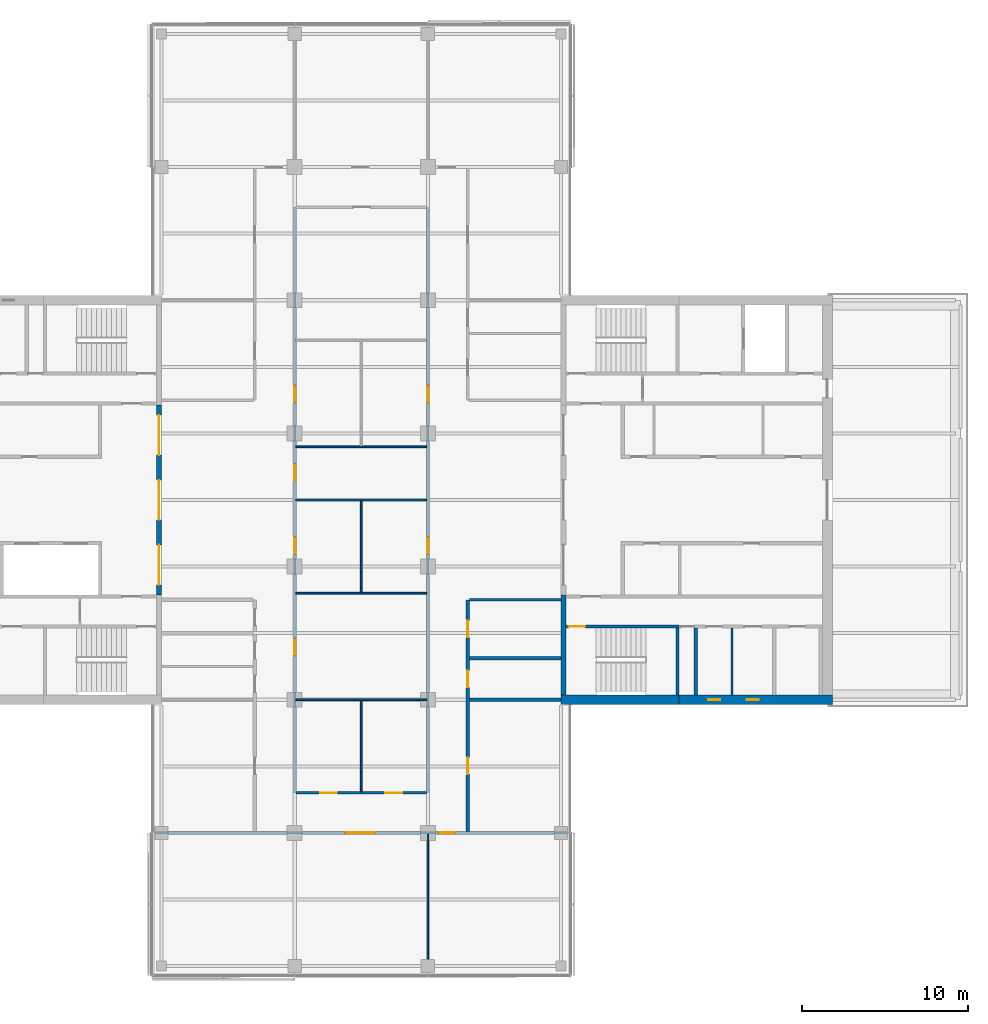
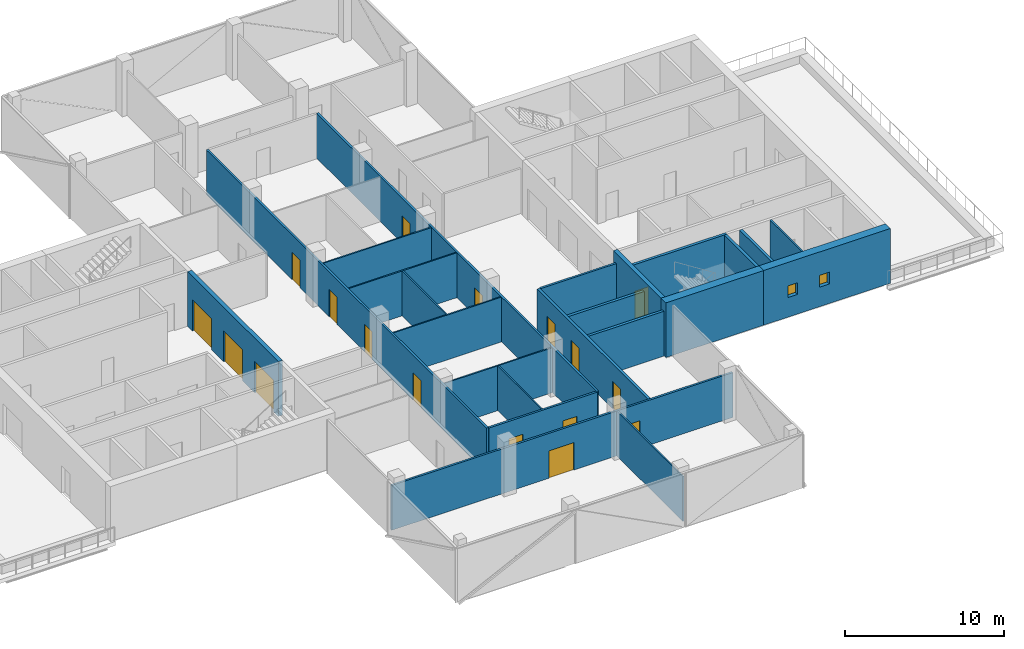
# One storey, part 12 of 18: 23 walls, 17 doors, 2 windows, 19 openings.
"""IFC4 building model written with IfcOpenShell, lengths in metres."""

from ifc_helpers import new_model, si_unit, direction, frame, frame_2d, origin, place, context, subcontext, project, spatial, rectangle, extrude, material, layer, layer_set, constituent, constituent_set, type_object, element, fill, save


model = new_model("IFC4")

# Units and contexts
model_context = context("Model", 3, precision=1e-05, world=origin(), true_north=direction((0.0, 1.0)))
body_context = subcontext(model_context, "Body", "Model", "MODEL_VIEW")
ifc_project = project(units=[si_unit("LENGTHUNIT", "METRE"), si_unit("AREAUNIT", "SQUARE_METRE"), si_unit("VOLUMEUNIT", "CUBIC_METRE"), si_unit("PLANEANGLEUNIT", "RADIAN"), si_unit("MASSUNIT", "GRAM", prefix="KILO")], contexts=[model_context])

# Site, building, storey
site_placement = place(None, origin())
site = spatial("IfcSite", under=ifc_project, at=site_placement, CompositionType="ELEMENT")
building_placement = place(site_placement, origin())
building = spatial("IfcBuilding", under=site, at=building_placement, Name="Crosswind Convention Tower", CompositionType="ELEMENT")
storey_placement = place(building_placement, frame((0.0, 0.0, 178.89990234375)))
storey = spatial("IfcBuildingStorey", under=building, at=storey_placement, Name="L37", CompositionType="ELEMENT", Elevation=178.89990234375)

# Wall
ifc_material_1 = material(Name="Concrete blockwork", Category="masonry")
ifc_layer_1 = layer(ifc_material_1, 0.199951171875)
ifc_layer_set_1 = layer_set([ifc_layer_1], Name="Blockwork partition wall 200")
wall_type_1 = type_object("IfcWallType", Name="Blockwork partition wall 200", PredefinedType="PARTITIONING", material=ifc_layer_set_1)
wall_1_placement = place(storey_placement, frame((145.10009765625, 88.300048828125, 0.0), z_axis=(0.0, 0.0, 1.0), x_axis=(0.0, 1.0, 0.0)))
element("IfcWall", 1, at=wall_1_placement, inside=storey, type_object=wall_type_1, Name="Wall MRSE E L37", PredefinedType="PARTITIONING", context=body_context, shape_type="SweptSolid", body=[
    extrude(rectangle(XDim=4.0, YDim=0.199951171875, at=frame_2d((2.0, 0.0))), origin(), (0.0, 0.0, 1.0), 4.2001953125),
])

# Wall, openings, doors
ifc_layer_2 = layer(ifc_material_1, 0.199951171875)
ifc_layer_set_2 = layer_set([ifc_layer_2], Name="COMPARTMENT WALL 200 BLOCKWORK")
wall_type_2 = type_object("IfcWallType", Name="COMPARTMENT WALL 200 BLOCKWORK", PredefinedType="SOLIDWALL", material=ifc_layer_set_2)
wall_2_placement = place(storey_placement, frame((131.39990234375, 80.074951171875, 0.0), z_axis=(0.0, 0.0, 1.0), x_axis=(0.0, 1.0, 0.0)))
wall_2 = element("IfcWall", 2, at=wall_2_placement, inside=storey, type_object=wall_type_2, Name="Compartment wall WT42", PredefinedType="SOLIDWALL", context=body_context, shape_type="SweptSolid", body=[
    extrude(rectangle(XDim=13.925048828125, YDim=0.199951171875, at=frame_2d((6.96240234375, 0.0))), origin(), (0.0, 0.0, 1.0), 3.43994140625),
])
opening_1_placement = place(wall_2_placement, frame((11.675048828125, 0.0, 0.0)))
opening_1 = element("IfcOpeningElement", 3, at=opening_1_placement, cuts=wall_2, Name="Opening L37-53", PredefinedType="OPENING", context=body_context, shape_type="SweptSolid", body=[
    extrude(rectangle(XDim=1.0, YDim=2.10009765625, at=frame_2d((0.5, 1.050048828125))), frame((0.0, 0.10986328125, 0.0), z_axis=(0.0, -1.0, 0.0), x_axis=(1.0, 0.0, 0.0)), (0.0, 0.0, 1.0), 0.219970703125),
])
opening_2_placement = place(wall_2_placement, frame((8.675048828125, 0.0, 0.0)))
opening_2 = element("IfcOpeningElement", 4, at=opening_2_placement, cuts=wall_2, Name="Opening L37-54", PredefinedType="OPENING", context=body_context, shape_type="SweptSolid", body=[
    extrude(rectangle(XDim=1.0, YDim=2.10009765625, at=frame_2d((0.5, 1.050048828125))), frame((0.0, 0.10986328125, 0.0), z_axis=(0.0, -1.0, 0.0), x_axis=(1.0, 0.0, 0.0)), (0.0, 0.0, 1.0), 0.219970703125),
])
opening_3_placement = place(wall_2_placement, frame((3.449951171875, 0.0, 0.0)))
opening_3 = element("IfcOpeningElement", 5, at=opening_3_placement, cuts=wall_2, Name="Opening L37-55", PredefinedType="OPENING", context=body_context, shape_type="SweptSolid", body=[
    extrude(rectangle(XDim=1.0, YDim=2.10009765625, at=frame_2d((0.5, 1.050048828125))), frame((0.0, 0.10986328125, 0.0), z_axis=(0.0, -1.0, 0.0), x_axis=(1.0, 0.0, 0.0)), (0.0, 0.0, 1.0), 0.219970703125),
])
ifc_material_2 = material(Name="Steel fire door", Category="steel")
door_type_1 = type_object("IfcDoorType", Name="PLANT ROOM DOOR 1000X2100 FD60", OperationType="NOTDEFINED", PredefinedType="DOOR", material=ifc_material_2)
door_1_placement = place(opening_2_placement, frame((1.0, 0.0, 0.0), z_axis=(0.0, 0.0, 1.0), x_axis=(-1.0, 0.0, 0.0)))
door_1 = element("IfcDoor", 6, at=door_1_placement, inside=storey, type_object=door_type_1, Name="Door L37-54", ObjectType="D43", OperationType="SINGLE_SWING_LEFT", OverallHeight=2.10009765625, OverallWidth=1.0, PredefinedType="DOOR", context=body_context, shape_type="SweptSolid", body=[
    extrude(rectangle(XDim=1.0, YDim=2.10009765625, at=frame_2d((0.5, 1.050048828125))), frame((0.0, 0.02490234375, 0.0), z_axis=(0.0, -1.0, 0.0), x_axis=(1.0, 0.0, 0.0)), (0.0, 0.0, 1.0), 0.050048828125),
])
fill(opening_2, door_1)
ifc_material_3 = material(Name="Timber fire door", Category="wood")
door_type_2 = type_object("IfcDoorType", Name="TENANCY ENTRANCE DOOR 1000X2100 FD30S", OperationType="NOTDEFINED", PredefinedType="DOOR", material=ifc_material_3)
door_2_placement = place(opening_1_placement, frame((1.0, 0.0, 0.0), z_axis=(0.0, 0.0, 1.0), x_axis=(-1.0, 0.0, 0.0)))
door_2 = element("IfcDoor", 7, at=door_2_placement, inside=storey, type_object=door_type_2, Name="Door L37-53", ObjectType="D41", OperationType="SINGLE_SWING_LEFT", OverallHeight=2.10009765625, OverallWidth=1.0, PredefinedType="DOOR", context=body_context, shape_type="SweptSolid", body=[
    extrude(rectangle(XDim=1.0, YDim=2.10009765625, at=frame_2d((0.5, 1.050048828125))), frame((0.0, 0.02490234375, 0.0), z_axis=(0.0, -1.0, 0.0), x_axis=(1.0, 0.0, 0.0)), (0.0, 0.0, 1.0), 0.050048828125),
])
fill(opening_1, door_2)
door_3_placement = place(opening_3_placement, frame((1.0, 0.0, 0.0), z_axis=(0.0, 0.0, 1.0), x_axis=(-1.0, 0.0, 0.0)))
door_3 = element("IfcDoor", 8, at=door_3_placement, inside=storey, type_object=door_type_2, Name="Door L37-55", ObjectType="D41", OperationType="SINGLE_SWING_LEFT", OverallHeight=2.10009765625, OverallWidth=1.0, PredefinedType="DOOR", context=body_context, shape_type="SweptSolid", body=[
    extrude(rectangle(XDim=1.0, YDim=2.10009765625, at=frame_2d((0.5, 1.050048828125))), frame((0.0, 0.02490234375, 0.0), z_axis=(0.0, -1.0, 0.0), x_axis=(1.0, 0.0, 0.0)), (0.0, 0.0, 1.0), 0.050048828125),
])
fill(opening_3, door_3)

# Walls
for number, where, z_axis, x_axis, name in (
    (9, (131.5, 88.0, 0.0), (0.0, 0.0, 1.0), (1.0, 0.0, 0.0), "Compartment wall WT42"),
    (10, (131.5, 90.5, 0.0), (0.0, 0.0, 1.0), (1.0, 0.0, 0.0), "Compartment wall WT42"),
):
    element("IfcWall", number, at=place(storey_placement, frame(where, z_axis=z_axis, x_axis=x_axis)), inside=storey, type_object=wall_type_2, Name=name, PredefinedType="SOLIDWALL", context=body_context, shape_type="SweptSolid", body=[
        extrude(rectangle(XDim=5.5, YDim=0.199951171875, at=frame_2d((2.75, 0.0))), origin(), (0.0, 0.0, 1.0), 3.43994140625),
    ])
ifc_material_4 = material(Name="Concrete C50/60", Category="concrete")
ifc_layer_3 = layer(ifc_material_4, 0.300048828125)
ifc_layer_set_3 = layer_set([ifc_layer_3], Name="Concrete C50/60")
wall_type_3 = type_object("IfcWallType", Name="Concrete inner core wall 300", PredefinedType="SHEAR", material=ifc_layer_set_3)
wall_3_placement = place(storey_placement, frame((137.14990234375, 88.300048828125, 0.0), z_axis=(0.0, 0.0, 1.0), x_axis=(0.0, 1.0, 0.0)))
element("IfcWall", 11, at=wall_3_placement, inside=storey, type_object=wall_type_3, Name="Wall EM E L37", PredefinedType="SHEAR", context=body_context, shape_type="SweptSolid", body=[
    extrude(rectangle(XDim=6.0, YDim=0.300048828125, at=frame_2d((3.0, 0.0))), origin(), (0.0, 0.0, 1.0), 4.2001953125),
])

# Wall, openings, doors
wall_4_placement = place(storey_placement, frame((112.85009765625, 105.699951171875, 0.0), z_axis=(0.0, 0.0, 1.0), x_axis=(0.0, -1.0, 0.0)))
wall_4 = element("IfcWall", 12, at=wall_4_placement, inside=storey, type_object=wall_type_3, Name="Wall SCR W L37", PredefinedType="SHEAR", context=body_context, shape_type="SweptSolid", body=[
    extrude(rectangle(XDim=11.39990234375, YDim=0.300048828125, at=frame_2d((5.699951171875, 0.0))), origin(), (0.0, 0.0, 1.0), 4.2001953125),
])
opening_4_placement = place(wall_4_placement, frame((0.60009765625, 0.0, 0.0)))
opening_4 = element("IfcOpeningElement", 13, at=opening_4_placement, cuts=wall_4, Name="Opening D100", PredefinedType="OPENING", context=body_context, shape_type="SweptSolid", body=[
    extrude(rectangle(XDim=2.39990234375, YDim=2.39990234375, at=frame_2d((1.199951171875, 1.199951171875))), frame((0.0, 0.159912109375, 0.0), z_axis=(0.0, -1.0, 0.0), x_axis=(1.0, 0.0, 0.0)), (0.0, 0.0, 1.0), 0.320068359375),
])
opening_5_placement = place(wall_4_placement, frame((4.5, 0.0, 0.0)))
opening_5 = element("IfcOpeningElement", 14, at=opening_5_placement, cuts=wall_4, Name="Opening D100", PredefinedType="OPENING", context=body_context, shape_type="SweptSolid", body=[
    extrude(rectangle(XDim=2.39990234375, YDim=2.39990234375, at=frame_2d((1.199951171875, 1.199951171875))), frame((0.0, 0.159912109375, 0.0), z_axis=(0.0, -1.0, 0.0), x_axis=(1.0, 0.0, 0.0)), (0.0, 0.0, 1.0), 0.320068359375),
])
opening_6_placement = place(wall_4_placement, frame((8.39990234375, 0.0, 0.0)))
opening_6 = element("IfcOpeningElement", 15, at=opening_6_placement, cuts=wall_4, Name="Opening D100", PredefinedType="OPENING", context=body_context, shape_type="SweptSolid", body=[
    extrude(rectangle(XDim=2.39990234375, YDim=2.39990234375, at=frame_2d((1.199951171875, 1.199951171875))), frame((0.0, 0.159912109375, 0.0), z_axis=(0.0, -1.0, 0.0), x_axis=(1.0, 0.0, 0.0)), (0.0, 0.0, 1.0), 0.320068359375),
])
ifc_material_5 = material(Name="Steel fire door with glazed vision panels", Category="steel")
door_type_3 = type_object("IfcDoorType", Name="Fire-rated double door 2400x2400", OperationType="DOUBLE_DOOR_SINGLE_SWING", PredefinedType="DOOR", material=ifc_material_5)
door_4_placement = place(opening_4_placement, origin())
door_4 = element("IfcDoor", 16, at=door_4_placement, inside=storey, type_object=door_type_3, Name="Lobby door 1 L37", ObjectType="D100", OperationType="DOUBLE_DOOR_SINGLE_SWING", OverallHeight=2.39990234375, OverallWidth=2.39990234375, PredefinedType="DOOR", context=body_context, shape_type="SweptSolid", body=[
    extrude(rectangle(XDim=2.39990234375, YDim=2.39990234375, at=frame_2d((1.199951171875, 1.199951171875))), frame((0.0, 0.02490234375, 0.0), z_axis=(0.0, -1.0, 0.0), x_axis=(1.0, 0.0, 0.0)), (0.0, 0.0, 1.0), 0.050048828125),
])
fill(opening_4, door_4)
door_5_placement = place(opening_5_placement, origin())
door_5 = element("IfcDoor", 17, at=door_5_placement, inside=storey, type_object=door_type_3, Name="Lobby door 2 L37", ObjectType="D100", OperationType="DOUBLE_DOOR_SINGLE_SWING", OverallHeight=2.39990234375, OverallWidth=2.39990234375, PredefinedType="DOOR", context=body_context, shape_type="SweptSolid", body=[
    extrude(rectangle(XDim=2.39990234375, YDim=2.39990234375, at=frame_2d((1.199951171875, 1.199951171875))), frame((0.0, 0.02490234375, 0.0), z_axis=(0.0, -1.0, 0.0), x_axis=(1.0, 0.0, 0.0)), (0.0, 0.0, 1.0), 0.050048828125),
])
fill(opening_5, door_5)
door_6_placement = place(opening_6_placement, origin())
door_6 = element("IfcDoor", 18, at=door_6_placement, inside=storey, type_object=door_type_3, Name="Lobby door 3 L37", ObjectType="D100", OperationType="DOUBLE_DOOR_SINGLE_SWING", OverallHeight=2.39990234375, OverallWidth=2.39990234375, PredefinedType="DOOR", context=body_context, shape_type="SweptSolid", body=[
    extrude(rectangle(XDim=2.39990234375, YDim=2.39990234375, at=frame_2d((1.199951171875, 1.199951171875))), frame((0.0, 0.02490234375, 0.0), z_axis=(0.0, -1.0, 0.0), x_axis=(1.0, 0.0, 0.0)), (0.0, 0.0, 1.0), 0.050048828125),
])
fill(opening_6, door_6)

# Wall
ifc_layer_4 = layer(ifc_material_4, 0.199951171875)
ifc_layer_set_4 = layer_set([ifc_layer_4], Name="Concrete C50/60")
wall_type_4 = type_object("IfcWallType", Name="Concrete shaft and stair wall 200", PredefinedType="SHEAR", material=ifc_layer_set_4)
wall_5_placement = place(storey_placement, frame((144.0, 88.300048828125, 0.0), z_axis=(0.0, 0.0, 1.0), x_axis=(0.0, 1.0, 0.0)))
element("IfcWall", 19, at=wall_5_placement, inside=storey, type_object=wall_type_4, Name="Wall MSE E L37", PredefinedType="SHEAR", context=body_context, shape_type="SweptSolid", body=[
    extrude(rectangle(XDim=4.0, YDim=0.199951171875, at=frame_2d((2.0, 0.0))), origin(), (0.0, 0.0, 1.0), 4.2001953125),
])

# Wall, opening, door
wall_6_placement = place(storey_placement, frame((137.300048828125, 92.39990234375, 0.0), z_axis=(0.0, 0.0, 1.0), x_axis=(1.0, 0.0, 0.0)))
wall_6 = element("IfcWall", 20, at=wall_6_placement, inside=storey, type_object=wall_type_4, Name="Wall MCW E L37", PredefinedType="SHEAR", context=body_context, shape_type="SweptSolid", body=[
    extrude(rectangle(XDim=6.800048828125, YDim=0.199951171875, at=frame_2d((3.39990234375, 0.0))), origin(), (0.0, 0.0, 1.0), 4.2001953125),
])
opening_7_placement = place(wall_6_placement, frame((0.14990234375, 0.0, 0.0)))
opening_7 = element("IfcOpeningElement", 21, at=opening_7_placement, cuts=wall_6, Name="Opening D103", PredefinedType="OPENING", context=body_context, shape_type="SweptSolid", body=[
    extrude(rectangle(XDim=1.0, YDim=2.10009765625, at=frame_2d((0.5, 1.050048828125))), frame((0.0, 0.10986328125, 0.0), z_axis=(0.0, -1.0, 0.0), x_axis=(1.0, 0.0, 0.0)), (0.0, 0.0, 1.0), 0.219970703125),
])
door_type_4 = type_object("IfcDoorType", Name="Fire-rated single door 1000x2100", OperationType="NOTDEFINED", PredefinedType="DOOR", material=ifc_material_2)
door_7_placement = place(opening_7_placement, frame((1.0, 0.0, 0.0), z_axis=(0.0, 0.0, 1.0), x_axis=(-1.0, 0.0, 0.0)))
door_7 = element("IfcDoor", 22, at=door_7_placement, inside=storey, type_object=door_type_4, Name="Stair ST2 door L37", ObjectType="D103", OperationType="SINGLE_SWING_RIGHT", OverallHeight=2.10009765625, OverallWidth=1.0, PredefinedType="DOOR", context=body_context, shape_type="SweptSolid", body=[
    extrude(rectangle(XDim=1.0, YDim=2.10009765625, at=frame_2d((0.5, 1.050048828125))), frame((0.0, 0.02490234375, 0.0), z_axis=(0.0, -1.0, 0.0), x_axis=(1.0, 0.0, 0.0)), (0.0, 0.0, 1.0), 0.050048828125),
])
fill(opening_7, door_7)

# Walls
ifc_material_6 = material(Name="Gypsum plasterboard partition", Category="gypsum")
ifc_layer_5 = layer(ifc_material_6, 0.125)
ifc_layer_set_5 = layer_set([ifc_layer_5], Name="Drywall partition wall 125")
wall_type_5 = type_object("IfcWallType", Name="Drywall partition wall 125", PredefinedType="PARTITIONING", material=ifc_layer_set_5)
wall_7_placement = place(storey_placement, frame((147.27001953125, 88.300048828125, 0.0), z_axis=(0.0, 0.0, 1.0), x_axis=(0.0, 1.0, 0.0)))
element("IfcWall", 23, at=wall_7_placement, inside=storey, type_object=wall_type_5, Name="Wall MWP1 E L37", PredefinedType="PARTITIONING", context=body_context, shape_type="SweptSolid", body=[
    extrude(rectangle(XDim=4.0, YDim=0.125, at=frame_2d((2.0, 0.0))), origin(), (0.0, 0.0, 1.0), 4.2001953125),
])
ifc_material_7 = material(Name="Plasterboard partition", Category="gypsum")
ifc_layer_6 = layer(ifc_material_7, 0.10009765625)
ifc_layer_set_6 = layer_set([ifc_layer_6], Name="PARTITION 100 METAL STUD")
wall_type_6 = type_object("IfcWallType", Name="PARTITION 100 METAL STUD", PredefinedType="PARTITIONING", material=ifc_layer_set_6)
wall_8_placement = place(storey_placement, frame((125.0, 82.47509765625, 0.0), z_axis=(0.0, 0.0, 1.0), x_axis=(0.0, 1.0, 0.0)))
element("IfcWall", 24, at=wall_8_placement, inside=storey, type_object=wall_type_6, Name="Partition wall WT40", PredefinedType="PARTITIONING", context=body_context, shape_type="SweptSolid", body=[
    extrude(rectangle(XDim=5.474853515625, YDim=0.10009765625, at=frame_2d((2.7373046875, 0.0))), origin(), (0.0, 0.0, 1.0), 3.43994140625),
])
wall_9_placement = place(storey_placement, frame((125.0, 94.449951171875, 0.0), z_axis=(0.0, 0.0, 1.0), x_axis=(0.0, 1.0, 0.0)))
element("IfcWall", 25, at=wall_9_placement, inside=storey, type_object=wall_type_6, Name="Partition wall WT40", PredefinedType="PARTITIONING", context=body_context, shape_type="SweptSolid", body=[
    extrude(rectangle(XDim=5.5, YDim=0.10009765625, at=frame_2d((2.75, 0.0))), origin(), (0.0, 0.0, 1.0), 3.43994140625),
])
wall_10_placement = place(storey_placement, frame((129.0, 71.6298828125, 0.0), z_axis=(0.0, 0.0, 1.0), x_axis=(0.0, 1.0, 0.0)))
element("IfcWall", 26, at=wall_10_placement, inside=storey, type_object=wall_type_6, Name="Partition wall WT40", PredefinedType="PARTITIONING", context=body_context, shape_type="SweptSolid", body=[
    extrude(rectangle(XDim=8.295166015625, YDim=0.10009765625, at=frame_2d((4.1474609375, 0.0))), origin(), (0.0, 0.0, 1.0), 3.43994140625),
])
for number, where, z_axis, x_axis, name in (
    (27, (121.074951171875, 88.0, 0.0), (0.0, 0.0, 1.0), (1.0, 0.0, 0.0), "Partition wall WT40"),
    (28, (121.074951171875, 94.39990234375, 0.0), (0.0, 0.0, 1.0), (1.0, 0.0, 0.0), "Partition wall WT40"),
    (29, (121.074951171875, 100.0, 0.0), (0.0, 0.0, 1.0), (1.0, 0.0, 0.0), "Partition wall WT40"),
    (30, (121.074951171875, 103.199951171875, 0.0), (0.0, 0.0, 1.0), (1.0, 0.0, 0.0), "Partition wall WT40"),
):
    element("IfcWall", number, at=place(storey_placement, frame(where, z_axis=z_axis, x_axis=x_axis)), inside=storey, type_object=wall_type_6, Name=name, PredefinedType="PARTITIONING", context=body_context, shape_type="SweptSolid", body=[
        extrude(rectangle(XDim=7.85009765625, YDim=0.10009765625, at=frame_2d((3.925048828125, 0.0))), origin(), (0.0, 0.0, 1.0), 3.43994140625),
    ])

# Wall, openings, doors
ifc_material_8 = material(Name="Fire-board partition with mineral wool", Category="gypsum")
ifc_layer_7 = layer(ifc_material_8, 0.14990234375)
ifc_layer_set_7 = layer_set([ifc_layer_7], Name="TENANCY WALL 150 TWO-HOUR BOARD")
wall_type_7 = type_object("IfcWallType", Name="TENANCY WALL 150 TWO-HOUR BOARD", PredefinedType="PARTITIONING", material=ifc_layer_set_7)
wall_11_placement = place(storey_placement, frame((121.0, 82.39990234375, 0.0), z_axis=(0.0, 0.0, 1.0), x_axis=(0.0, 1.0, 0.0)))
wall_11 = element("IfcWall", 31, at=wall_11_placement, inside=storey, type_object=wall_type_7, Name="Tenancy wall WT41", PredefinedType="PARTITIONING", context=body_context, shape_type="SweptSolid", body=[
    extrude(rectangle(XDim=35.2001953125, YDim=0.14990234375, at=frame_2d((17.60009765625, 0.0))), origin(), (0.0, 0.0, 1.0), 3.43994140625),
])
opening_8_placement = place(wall_11_placement, frame((8.25, 0.0, 0.0)))
opening_8 = element("IfcOpeningElement", 32, at=opening_8_placement, cuts=wall_11, Name="Opening L37-69", PredefinedType="OPENING", context=body_context, shape_type="SweptSolid", body=[
    extrude(rectangle(XDim=1.0, YDim=2.10009765625, at=frame_2d((0.5, 1.050048828125))), frame((0.0, 0.0849609375, 0.0), z_axis=(0.0, -1.0, 0.0), x_axis=(1.0, 0.0, 0.0)), (0.0, 0.0, 1.0), 0.169921875),
])
opening_9_placement = place(wall_11_placement, frame((14.35009765625, 0.0, 0.0)))
opening_9 = element("IfcOpeningElement", 33, at=opening_9_placement, cuts=wall_11, Name="Opening L37-70", PredefinedType="OPENING", context=body_context, shape_type="SweptSolid", body=[
    extrude(rectangle(XDim=1.0, YDim=2.10009765625, at=frame_2d((0.5, 1.050048828125))), frame((0.0, 0.0849609375, 0.0), z_axis=(0.0, -1.0, 0.0), x_axis=(1.0, 0.0, 0.0)), (0.0, 0.0, 1.0), 0.169921875),
])
opening_10_placement = place(wall_11_placement, frame((18.75, 0.0, 0.0)))
opening_10 = element("IfcOpeningElement", 34, at=opening_10_placement, cuts=wall_11, Name="Opening L37-72", PredefinedType="OPENING", context=body_context, shape_type="SweptSolid", body=[
    extrude(rectangle(XDim=1.0, YDim=2.10009765625, at=frame_2d((0.5, 1.050048828125))), frame((0.0, 0.0849609375, 0.0), z_axis=(0.0, -1.0, 0.0), x_axis=(1.0, 0.0, 0.0)), (0.0, 0.0, 1.0), 0.169921875),
])
opening_11_placement = place(wall_11_placement, frame((23.449951171875, 0.0, 0.0)))
opening_11 = element("IfcOpeningElement", 35, at=opening_11_placement, cuts=wall_11, Name="Opening L37-73", PredefinedType="OPENING", context=body_context, shape_type="SweptSolid", body=[
    extrude(rectangle(XDim=1.0, YDim=2.10009765625, at=frame_2d((0.5, 1.050048828125))), frame((0.0, 0.0849609375, 0.0), z_axis=(0.0, -1.0, 0.0), x_axis=(1.0, 0.0, 0.0)), (0.0, 0.0, 1.0), 0.169921875),
])
door_8_placement = place(opening_8_placement, frame((1.0, 0.0, 0.0), z_axis=(0.0, 0.0, 1.0), x_axis=(-1.0, 0.0, 0.0)))
door_8 = element("IfcDoor", 36, at=door_8_placement, inside=storey, type_object=door_type_2, Name="Door L37-69", ObjectType="D41", OperationType="SINGLE_SWING_RIGHT", OverallHeight=2.10009765625, OverallWidth=1.0, PredefinedType="DOOR", context=body_context, shape_type="SweptSolid", body=[
    extrude(rectangle(XDim=1.0, YDim=2.10009765625, at=frame_2d((0.5, 1.050048828125))), frame((0.0, 0.02490234375, 0.0), z_axis=(0.0, -1.0, 0.0), x_axis=(1.0, 0.0, 0.0)), (0.0, 0.0, 1.0), 0.050048828125),
])
fill(opening_8, door_8)
door_9_placement = place(opening_9_placement, frame((1.0, 0.0, 0.0), z_axis=(0.0, 0.0, 1.0), x_axis=(-1.0, 0.0, 0.0)))
door_9 = element("IfcDoor", 37, at=door_9_placement, inside=storey, type_object=door_type_2, Name="Door L37-70", ObjectType="D41", OperationType="SINGLE_SWING_RIGHT", OverallHeight=2.10009765625, OverallWidth=1.0, PredefinedType="DOOR", context=body_context, shape_type="SweptSolid", body=[
    extrude(rectangle(XDim=1.0, YDim=2.10009765625, at=frame_2d((0.5, 1.050048828125))), frame((0.0, 0.02490234375, 0.0), z_axis=(0.0, -1.0, 0.0), x_axis=(1.0, 0.0, 0.0)), (0.0, 0.0, 1.0), 0.050048828125),
])
fill(opening_9, door_9)
door_10_placement = place(opening_10_placement, frame((1.0, 0.0, 0.0), z_axis=(0.0, 0.0, 1.0), x_axis=(-1.0, 0.0, 0.0)))
door_10 = element("IfcDoor", 38, at=door_10_placement, inside=storey, type_object=door_type_2, Name="Door L37-72", ObjectType="D41", OperationType="SINGLE_SWING_LEFT", OverallHeight=2.10009765625, OverallWidth=1.0, PredefinedType="DOOR", context=body_context, shape_type="SweptSolid", body=[
    extrude(rectangle(XDim=1.0, YDim=2.10009765625, at=frame_2d((0.5, 1.050048828125))), frame((0.0, 0.02490234375, 0.0), z_axis=(0.0, -1.0, 0.0), x_axis=(1.0, 0.0, 0.0)), (0.0, 0.0, 1.0), 0.050048828125),
])
fill(opening_10, door_10)
door_11_placement = place(opening_11_placement, frame((1.0, 0.0, 0.0), z_axis=(0.0, 0.0, 1.0), x_axis=(-1.0, 0.0, 0.0)))
door_11 = element("IfcDoor", 39, at=door_11_placement, inside=storey, type_object=door_type_2, Name="Door L37-73", ObjectType="D41", OperationType="SINGLE_SWING_RIGHT", OverallHeight=2.10009765625, OverallWidth=1.0, PredefinedType="DOOR", context=body_context, shape_type="SweptSolid", body=[
    extrude(rectangle(XDim=1.0, YDim=2.10009765625, at=frame_2d((0.5, 1.050048828125))), frame((0.0, 0.02490234375, 0.0), z_axis=(0.0, -1.0, 0.0), x_axis=(1.0, 0.0, 0.0)), (0.0, 0.0, 1.0), 0.050048828125),
])
fill(opening_11, door_11)

wall_12_placement = place(storey_placement, frame((129.0, 82.39990234375, 0.0), z_axis=(0.0, 0.0, 1.0), x_axis=(0.0, 1.0, 0.0)))
wall_12 = element("IfcWall", 40, at=wall_12_placement, inside=storey, type_object=wall_type_7, Name="Tenancy wall WT41", PredefinedType="PARTITIONING", context=body_context, shape_type="SweptSolid", body=[
    extrude(rectangle(XDim=35.2001953125, YDim=0.14990234375, at=frame_2d((17.60009765625, 0.0))), origin(), (0.0, 0.0, 1.0), 3.43994140625),
])
opening_12_placement = place(wall_12_placement, frame((14.35009765625, 0.0, 0.0)))
opening_12 = element("IfcOpeningElement", 41, at=opening_12_placement, cuts=wall_12, Name="Opening L37-71", PredefinedType="OPENING", context=body_context, shape_type="SweptSolid", body=[
    extrude(rectangle(XDim=1.0, YDim=2.10009765625, at=frame_2d((0.5, 1.050048828125))), frame((0.0, 0.0849609375, 0.0), z_axis=(0.0, -1.0, 0.0), x_axis=(1.0, 0.0, 0.0)), (0.0, 0.0, 1.0), 0.169921875),
])
opening_13_placement = place(wall_12_placement, frame((23.449951171875, 0.0, 0.0)))
opening_13 = element("IfcOpeningElement", 42, at=opening_13_placement, cuts=wall_12, Name="Opening L37-74", PredefinedType="OPENING", context=body_context, shape_type="SweptSolid", body=[
    extrude(rectangle(XDim=1.0, YDim=2.10009765625, at=frame_2d((0.5, 1.050048828125))), frame((0.0, 0.0849609375, 0.0), z_axis=(0.0, -1.0, 0.0), x_axis=(1.0, 0.0, 0.0)), (0.0, 0.0, 1.0), 0.169921875),
])
door_12_placement = place(opening_12_placement, origin())
door_12 = element("IfcDoor", 43, at=door_12_placement, inside=storey, type_object=door_type_2, Name="Door L37-71", ObjectType="D41", OperationType="SINGLE_SWING_LEFT", OverallHeight=2.10009765625, OverallWidth=1.0, PredefinedType="DOOR", context=body_context, shape_type="SweptSolid", body=[
    extrude(rectangle(XDim=1.0, YDim=2.10009765625, at=frame_2d((0.5, 1.050048828125))), frame((0.0, 0.02490234375, 0.0), z_axis=(0.0, -1.0, 0.0), x_axis=(1.0, 0.0, 0.0)), (0.0, 0.0, 1.0), 0.050048828125),
])
fill(opening_12, door_12)
door_13_placement = place(opening_13_placement, origin())
door_13 = element("IfcDoor", 44, at=door_13_placement, inside=storey, type_object=door_type_2, Name="Door L37-74", ObjectType="D41", OperationType="SINGLE_SWING_LEFT", OverallHeight=2.10009765625, OverallWidth=1.0, PredefinedType="DOOR", context=body_context, shape_type="SweptSolid", body=[
    extrude(rectangle(XDim=1.0, YDim=2.10009765625, at=frame_2d((0.5, 1.050048828125))), frame((0.0, 0.02490234375, 0.0), z_axis=(0.0, -1.0, 0.0), x_axis=(1.0, 0.0, 0.0)), (0.0, 0.0, 1.0), 0.050048828125),
])
fill(opening_13, door_13)

wall_13_placement = place(storey_placement, frame((112.6298828125, 80.0, 0.0), z_axis=(0.0, 0.0, 1.0), x_axis=(1.0, 0.0, 0.0)))
wall_13 = element("IfcWall", 45, at=wall_13_placement, inside=storey, type_object=wall_type_7, Name="Tenancy wall WT41", PredefinedType="PARTITIONING", context=body_context, shape_type="SweptSolid", body=[
    extrude(rectangle(XDim=24.740234375, YDim=0.14990234375, at=frame_2d((12.3701171875, 0.0))), origin(), (0.0, 0.0, 1.0), 3.43994140625),
])
opening_14_placement = place(wall_13_placement, frame((11.419921875, 0.0, 0.0)))
opening_14 = element("IfcOpeningElement", 46, at=opening_14_placement, cuts=wall_13, Name="Opening L37-65", PredefinedType="OPENING", context=body_context, shape_type="SweptSolid", body=[
    extrude(rectangle(XDim=1.800048828125, YDim=2.10009765625, at=frame_2d((0.89990234375, 1.050048828125))), frame((0.0, 0.0849609375, 0.0), z_axis=(0.0, -1.0, 0.0), x_axis=(1.0, 0.0, 0.0)), (0.0, 0.0, 1.0), 0.169921875),
])
opening_15_placement = place(wall_13_placement, frame((17.02001953125, 0.0, 0.0)))
opening_15 = element("IfcOpeningElement", 47, at=opening_15_placement, cuts=wall_13, Name="Opening L37-66", PredefinedType="OPENING", context=body_context, shape_type="SweptSolid", body=[
    extrude(rectangle(XDim=1.0, YDim=2.10009765625, at=frame_2d((0.5, 1.050048828125))), frame((0.0, 0.0849609375, 0.0), z_axis=(0.0, -1.0, 0.0), x_axis=(1.0, 0.0, 0.0)), (0.0, 0.0, 1.0), 0.169921875),
])
door_14_placement = place(opening_15_placement, frame((1.0, 0.0, 0.0), z_axis=(0.0, 0.0, 1.0), x_axis=(-1.0, 0.0, 0.0)))
door_14 = element("IfcDoor", 48, at=door_14_placement, inside=storey, type_object=door_type_2, Name="Door L37-66", ObjectType="D41", OperationType="SINGLE_SWING_RIGHT", OverallHeight=2.10009765625, OverallWidth=1.0, PredefinedType="DOOR", context=body_context, shape_type="SweptSolid", body=[
    extrude(rectangle(XDim=1.0, YDim=2.10009765625, at=frame_2d((0.5, 1.050048828125))), frame((0.0, 0.02490234375, 0.0), z_axis=(0.0, -1.0, 0.0), x_axis=(1.0, 0.0, 0.0)), (0.0, 0.0, 1.0), 0.050048828125),
])
fill(opening_15, door_14)
door_type_5 = type_object("IfcDoorType", Name="TENANCY ENTRANCE DOUBLE DOOR 1800X2100 FD30S", OperationType="DOUBLE_DOOR_SINGLE_SWING", PredefinedType="DOOR", material=ifc_material_3)
door_15_placement = place(opening_14_placement, frame((1.800048828125, 0.0, 0.0), z_axis=(0.0, 0.0, 1.0), x_axis=(-1.0, 0.0, 0.0)))
door_15 = element("IfcDoor", 49, at=door_15_placement, inside=storey, type_object=door_type_5, Name="Door L37-65", ObjectType="D42", OperationType="DOUBLE_DOOR_SINGLE_SWING", OverallHeight=2.10009765625, OverallWidth=1.800048828125, PredefinedType="DOOR", context=body_context, shape_type="SweptSolid", body=[
    extrude(rectangle(XDim=1.800048828125, YDim=2.10009765625, at=frame_2d((0.89990234375, 1.050048828125))), frame((0.0, 0.02490234375, 0.0), z_axis=(0.0, -1.0, 0.0), x_axis=(1.0, 0.0, 0.0)), (0.0, 0.0, 1.0), 0.050048828125),
])
fill(opening_14, door_15)

wall_14_placement = place(storey_placement, frame((121.074951171875, 82.39990234375, 0.0), z_axis=(0.0, 0.0, 1.0), x_axis=(1.0, 0.0, 0.0)))
wall_14 = element("IfcWall", 50, at=wall_14_placement, inside=storey, type_object=wall_type_7, Name="Tenancy wall WT41", PredefinedType="PARTITIONING", context=body_context, shape_type="SweptSolid", body=[
    extrude(rectangle(XDim=7.85009765625, YDim=0.14990234375, at=frame_2d((3.925048828125, 0.0))), origin(), (0.0, 0.0, 1.0), 3.43994140625),
])
opening_16_placement = place(wall_14_placement, frame((1.449951171875, 0.0, 0.0)))
opening_16 = element("IfcOpeningElement", 51, at=opening_16_placement, cuts=wall_14, Name="Opening L37-67", PredefinedType="OPENING", context=body_context, shape_type="SweptSolid", body=[
    extrude(rectangle(XDim=1.0, YDim=2.10009765625, at=frame_2d((0.5, 1.050048828125))), frame((0.0, 0.0849609375, 0.0), z_axis=(0.0, -1.0, 0.0), x_axis=(1.0, 0.0, 0.0)), (0.0, 0.0, 1.0), 0.169921875),
])
opening_17_placement = place(wall_14_placement, frame((5.375, 0.0, 0.0)))
opening_17 = element("IfcOpeningElement", 52, at=opening_17_placement, cuts=wall_14, Name="Opening L37-68", PredefinedType="OPENING", context=body_context, shape_type="SweptSolid", body=[
    extrude(rectangle(XDim=1.0, YDim=2.10009765625, at=frame_2d((0.5, 1.050048828125))), frame((0.0, 0.0849609375, 0.0), z_axis=(0.0, -1.0, 0.0), x_axis=(1.0, 0.0, 0.0)), (0.0, 0.0, 1.0), 0.169921875),
])
door_16_placement = place(opening_16_placement, origin())
door_16 = element("IfcDoor", 53, at=door_16_placement, inside=storey, type_object=door_type_2, Name="Door L37-67", ObjectType="D41", OperationType="SINGLE_SWING_RIGHT", OverallHeight=2.10009765625, OverallWidth=1.0, PredefinedType="DOOR", context=body_context, shape_type="SweptSolid", body=[
    extrude(rectangle(XDim=1.0, YDim=2.10009765625, at=frame_2d((0.5, 1.050048828125))), frame((0.0, 0.02490234375, 0.0), z_axis=(0.0, -1.0, 0.0), x_axis=(1.0, 0.0, 0.0)), (0.0, 0.0, 1.0), 0.050048828125),
])
fill(opening_16, door_16)
door_17_placement = place(opening_17_placement, origin())
door_17 = element("IfcDoor", 54, at=door_17_placement, inside=storey, type_object=door_type_2, Name="Door L37-68", ObjectType="D41", OperationType="SINGLE_SWING_LEFT", OverallHeight=2.10009765625, OverallWidth=1.0, PredefinedType="DOOR", context=body_context, shape_type="SweptSolid", body=[
    extrude(rectangle(XDim=1.0, YDim=2.10009765625, at=frame_2d((0.5, 1.050048828125))), frame((0.0, 0.02490234375, 0.0), z_axis=(0.0, -1.0, 0.0), x_axis=(1.0, 0.0, 0.0)), (0.0, 0.0, 1.0), 0.050048828125),
])
fill(opening_17, door_17)

# Walls
wall_15_placement = place(storey_placement, frame((131.5, 94.0, 0.0), z_axis=(0.0, 0.0, 1.0), x_axis=(1.0, 0.0, 0.0)))
element("IfcWall", 55, at=wall_15_placement, inside=storey, type_object=wall_type_7, Name="Tenancy wall WT41", PredefinedType="PARTITIONING", context=body_context, shape_type="SweptSolid", body=[
    extrude(rectangle(XDim=5.5, YDim=0.14990234375, at=frame_2d((2.75, 0.0))), origin(), (0.0, 0.0, 1.0), 3.43994140625),
])
ifc_material_9 = material(Name="Concrete C60/75", Category="concrete")
ifc_constituent_1 = constituent(ifc_material_9, Name="Structure")
ifc_material_10 = material(Name="Terracotta rainscreen", Category="ceramic")
ifc_constituent_2 = constituent(ifc_material_10, Name="Facing")
ifc_constituent_set = constituent_set(constituents=[ifc_constituent_1, ifc_constituent_2], Name="Concrete C60/75, Terracotta rainscreen")
wall_type_8 = type_object("IfcWallType", Name="Terracotta rainscreen on concrete core wall 600", PredefinedType="SHEAR", material=ifc_constituent_set)
wall_16_placement = place(storey_placement, frame((137.0, 88.0, 0.0), z_axis=(0.0, 0.0, 1.0), x_axis=(1.0, 0.0, 0.0)))
element("IfcWall", 56, at=wall_16_placement, inside=storey, type_object=wall_type_8, Name="Wall S1 E L37", PredefinedType="SHEAR", context=body_context, shape_type="SweptSolid", body=[
    extrude(rectangle(XDim=7.10009765625, YDim=0.60009765625, at=frame_2d((3.550048828125, 0.0))), origin(), (0.0, 0.0, 1.0), 4.2001953125),
])

# Wall, openings, windows
wall_17_placement = place(storey_placement, frame((144.10009765625, 88.0, 0.0), z_axis=(0.0, 0.0, 1.0), x_axis=(1.0, 0.0, 0.0)))
wall_17 = element("IfcWall", 57, at=wall_17_placement, inside=storey, type_object=wall_type_8, Name="Wall S2 E L37", PredefinedType="SHEAR", context=body_context, shape_type="SweptSolid", body=[
    extrude(rectangle(XDim=9.199951171875, YDim=0.60009765625, at=frame_2d((4.60009765625, 0.0))), origin(), (0.0, 0.0, 1.0), 4.2001953125),
])
opening_18_placement = place(wall_17_placement, frame((1.753662109375, 0.0, 1.5)))
opening_18 = element("IfcOpeningElement", 58, at=opening_18_placement, cuts=wall_17, Name="Opening W2", PredefinedType="OPENING", context=body_context, shape_type="SweptSolid", body=[
    extrude(rectangle(XDim=0.699951171875, YDim=0.89990234375, at=frame_2d((0.35009765625, 0.449951171875))), frame((0.0, 0.31005859375, 0.0), z_axis=(0.0, -1.0, 0.0), x_axis=(1.0, 0.0, 0.0)), (0.0, 0.0, 1.0), 0.6201171875),
])
opening_19_placement = place(wall_17_placement, frame((4.066162109375, 0.0, 1.5)))
opening_19 = element("IfcOpeningElement", 59, at=opening_19_placement, cuts=wall_17, Name="Opening W2", PredefinedType="OPENING", context=body_context, shape_type="SweptSolid", body=[
    extrude(rectangle(XDim=0.699951171875, YDim=0.89990234375, at=frame_2d((0.35009765625, 0.449951171875))), frame((0.0, 0.31005859375, 0.0), z_axis=(0.0, -1.0, 0.0), x_axis=(1.0, 0.0, 0.0)), (0.0, 0.0, 1.0), 0.6201171875),
])
ifc_material_11 = material(Name="Obscure glass in aluminium frame", Category="aluminium")
window_type = type_object("IfcWindowType", Name="WC window 700x900", PartitioningType="SINGLE_PANEL", PredefinedType="WINDOW", material=ifc_material_11)
window_1_placement = place(opening_18_placement, origin())
window_1 = element("IfcWindow", 60, at=window_1_placement, inside=storey, type_object=window_type, Name="WC window L37", ObjectType="W2", OverallHeight=0.89990234375, OverallWidth=0.699951171875, PartitioningType="SINGLE_PANEL", PredefinedType="WINDOW", context=body_context, shape_type="SweptSolid", body=[
    extrude(rectangle(XDim=0.699951171875, YDim=0.89990234375, at=frame_2d((0.35009765625, 0.449951171875))), frame((0.0, 0.030029296875, 0.0), z_axis=(0.0, -1.0, 0.0), x_axis=(1.0, 0.0, 0.0)), (0.0, 0.0, 1.0), 0.06005859375),
])
fill(opening_18, window_1)
window_2_placement = place(opening_19_placement, origin())
window_2 = element("IfcWindow", 61, at=window_2_placement, inside=storey, type_object=window_type, Name="WC window L37", ObjectType="W2", OverallHeight=0.89990234375, OverallWidth=0.699951171875, PartitioningType="SINGLE_PANEL", PredefinedType="WINDOW", context=body_context, shape_type="SweptSolid", body=[
    extrude(rectangle(XDim=0.699951171875, YDim=0.89990234375, at=frame_2d((0.35009765625, 0.449951171875))), frame((0.0, 0.030029296875, 0.0), z_axis=(0.0, -1.0, 0.0), x_axis=(1.0, 0.0, 0.0)), (0.0, 0.0, 1.0), 0.06005859375),
])
fill(opening_19, window_2)

save(model, "model.ifc")
